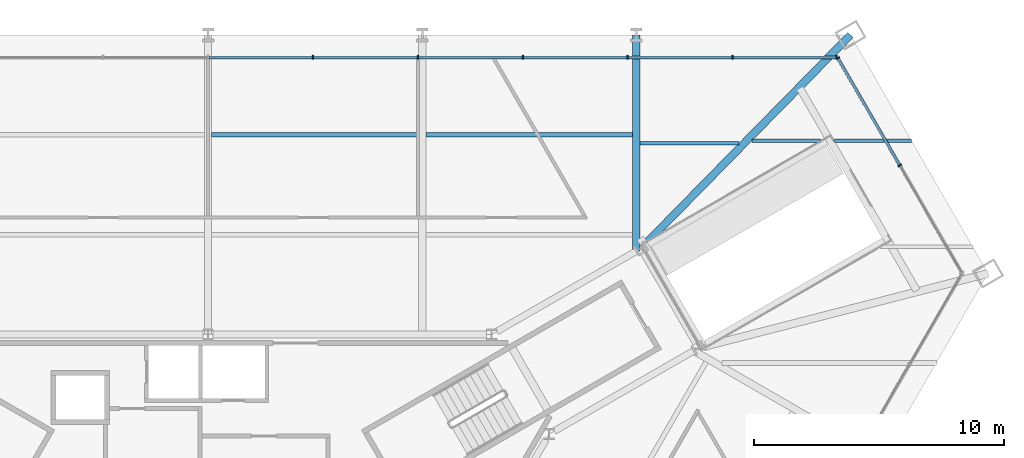
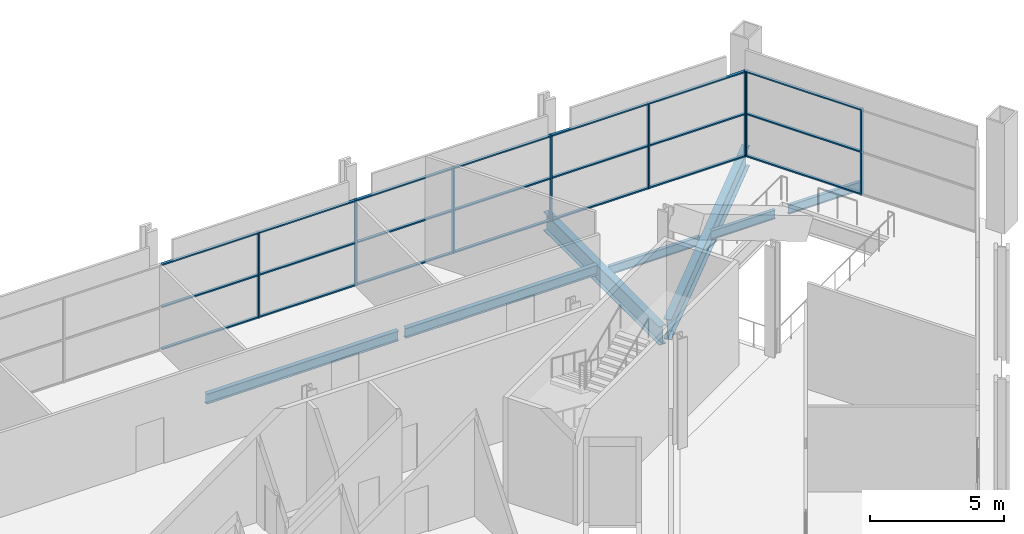
# One storey, part 10 of 20: 29 members, 7 beams, 2 elements without a shape of their own.
"""IFC4 building model written with IfcOpenShell, lengths in metres."""

from ifc_helpers import new_model, si_unit, direction, frame, origin, origin_2d, place, context, subcontext, project, spatial, rectangle, i_section, extrude, material, layer, layer_set, material_profile, profile_set, type_object, element, aggregate, save


model = new_model("IFC4")

# Units and contexts
model_context = context("Model", 3, precision=1e-05, world=origin(), true_north=direction((0.0, 1.0)))
body_context = subcontext(model_context, "Body", "Model", "MODEL_VIEW")
ifc_project = project(units=[si_unit("LENGTHUNIT", "METRE"), si_unit("AREAUNIT", "SQUARE_METRE"), si_unit("VOLUMEUNIT", "CUBIC_METRE"), si_unit("PLANEANGLEUNIT", "RADIAN"), si_unit("MASSUNIT", "GRAM", prefix="KILO")], contexts=[model_context])

# Site, building, storey
site_placement = place(None, origin())
site = spatial("IfcSite", under=ifc_project, at=site_placement, CompositionType="ELEMENT")
building_placement = place(site_placement, origin())
building = spatial("IfcBuilding", under=site, at=building_placement, Name="Verrane Prism Tower", CompositionType="ELEMENT")
storey_placement = place(building_placement, frame((0.0, 0.0, 17.39990234375)))
storey = spatial("IfcBuildingStorey", under=building, at=storey_placement, Name="L02", CompositionType="ELEMENT", Elevation=17.39990234375)

# Curtain wall, members
ifc_material_1 = material(Name="Aluminium and glass curtain wall", Category="aluminium")
ifc_layer = layer(ifc_material_1, 0.199951171875)
ifc_layer_set = layer_set([ifc_layer], Name="CWB-1 retail curtain wall")
curtain_wall_type = type_object("IfcCurtainWallType", Name="CWB-1 retail curtain wall", PredefinedType="NOTDEFINED", material=ifc_layer_set)
curtain_wall_1_placement = place(storey_placement, origin())
curtain_wall_1 = element("IfcCurtainWall", 1, at=curtain_wall_1_placement, inside=storey, type_object=curtain_wall_type, Name="Retail curtain wall L02 1", PredefinedType="NOTDEFINED")
ifc_material_2 = material(Name="Aluminium", Category="aluminium")
ifc_material_profile_1 = material_profile(ifc_material_2, rectangle(XDim=0.159912109375, YDim=0.06005859375, at=origin_2d()), Name="CWB-M 60x160 mullion")
ifc_profile_set_1 = profile_set([ifc_material_profile_1], Name="Aluminium")
member_type_1 = type_object("IfcMemberType", Name="CWB-M 60x160 mullion", PredefinedType="MULLION", material=ifc_profile_set_1)
member_1_placement = place(storey_placement, frame((27.63818359375, 15.956787109375, 0.0), z_axis=(0.0, 0.0, 1.0), x_axis=(-0.866025871, -0.499999190758, 0.0)))
member_1 = element("IfcMember", 2, at=member_1_placement, type_object=member_type_1, Name="CWB21 mullion 2", PredefinedType="MULLION", context=body_context, shape_type="SweptSolid", body=[
    extrude(rectangle(XDim=0.159912109375, YDim=0.06005859375, at=origin_2d()), origin(), (0.0, 0.0, 1.0), 3.89013671875),
])
member_2_placement = place(storey_placement, frame((25.162841796875, 20.244140625, 0.0), z_axis=(0.0, 0.0, 1.0), x_axis=(-0.866025871, -0.499999190758, 0.0)))
member_2 = element("IfcMember", 3, at=member_2_placement, type_object=member_type_1, Name="CWB21 mullion 3", PredefinedType="MULLION", context=body_context, shape_type="SweptSolid", body=[
    extrude(rectangle(XDim=0.159912109375, YDim=0.06005859375, at=origin_2d()), origin(), (0.0, 0.0, 1.0), 3.89013671875),
])

curtain_wall_2_placement = place(storey_placement, origin())
curtain_wall_2 = element("IfcCurtainWall", 4, at=curtain_wall_2_placement, inside=storey, type_object=curtain_wall_type, Name="Retail curtain wall L02 2", PredefinedType="NOTDEFINED")
member_3_placement = place(storey_placement, frame((25.117919921875, 20.27001953125, 0.0), z_axis=(0.0, 0.0, 1.0), x_axis=(0.0, -1.0, 0.0)))
member_3 = element("IfcMember", 5, at=member_3_placement, type_object=member_type_1, Name="CWB22 mullion 1", PredefinedType="MULLION", context=body_context, shape_type="SweptSolid", body=[
    extrude(rectangle(XDim=0.159912109375, YDim=0.06005859375, at=origin_2d()), origin(), (0.0, 0.0, 1.0), 3.89013671875),
])
member_4_placement = place(storey_placement, frame((20.95654296875, 20.27001953125, 0.0), z_axis=(0.0, 0.0, 1.0), x_axis=(0.0, -1.0, 0.0)))
member_4 = element("IfcMember", 6, at=member_4_placement, type_object=member_type_1, Name="CWB22 mullion 2", PredefinedType="MULLION", context=body_context, shape_type="SweptSolid", body=[
    extrude(rectangle(XDim=0.159912109375, YDim=0.06005859375, at=origin_2d()), origin(), (0.0, 0.0, 1.0), 3.89013671875),
])
member_5_placement = place(storey_placement, frame((16.76513671875, 20.27001953125, 0.0), z_axis=(0.0, 0.0, 1.0), x_axis=(0.0, -1.0, 0.0)))
member_5 = element("IfcMember", 7, at=member_5_placement, type_object=member_type_1, Name="CWB22 mullion 3", PredefinedType="MULLION", context=body_context, shape_type="SweptSolid", body=[
    extrude(rectangle(XDim=0.159912109375, YDim=0.06005859375, at=origin_2d()), origin(), (0.0, 0.0, 1.0), 3.89013671875),
])
member_6_placement = place(storey_placement, frame((12.573974609375, 20.27001953125, 0.0), z_axis=(0.0, 0.0, 1.0), x_axis=(0.0, -1.0, 0.0)))
member_6 = element("IfcMember", 8, at=member_6_placement, type_object=member_type_1, Name="CWB22 mullion 4", PredefinedType="MULLION", context=body_context, shape_type="SweptSolid", body=[
    extrude(rectangle(XDim=0.159912109375, YDim=0.06005859375, at=origin_2d()), origin(), (0.0, 0.0, 1.0), 3.89013671875),
])
member_7_placement = place(storey_placement, frame((8.382568359375, 20.27001953125, 0.0), z_axis=(0.0, 0.0, 1.0), x_axis=(0.0, -1.0, 0.0)))
member_7 = element("IfcMember", 9, at=member_7_placement, type_object=member_type_1, Name="CWB22 mullion 5", PredefinedType="MULLION", context=body_context, shape_type="SweptSolid", body=[
    extrude(rectangle(XDim=0.159912109375, YDim=0.06005859375, at=origin_2d()), origin(), (0.0, 0.0, 1.0), 3.89013671875),
])
member_8_placement = place(storey_placement, frame((4.19140625, 20.27001953125, 0.0), z_axis=(0.0, 0.0, 1.0), x_axis=(0.0, -1.0, 0.0)))
member_8 = element("IfcMember", 10, at=member_8_placement, type_object=member_type_1, Name="CWB22 mullion 6", PredefinedType="MULLION", context=body_context, shape_type="SweptSolid", body=[
    extrude(rectangle(XDim=0.159912109375, YDim=0.06005859375, at=origin_2d()), origin(), (0.0, 0.0, 1.0), 3.89013671875),
])

# Member
ifc_material_3 = material(Name="Aluminium", Category="aluminium")
ifc_material_profile_2 = material_profile(ifc_material_3, rectangle(XDim=0.1201171875, YDim=0.06005859375, at=origin_2d()), Name="CWB-T 60x120 transom")
ifc_profile_set_2 = profile_set([ifc_material_profile_2], Name="Aluminium")
member_type_2 = type_object("IfcMemberType", Name="CWB-T 60x120 transom", PredefinedType="USERDEFINED", material=ifc_profile_set_2)
member_9_placement = place(storey_placement, frame((27.623046875, 15.98291015625, 0.030029296875), z_axis=(-0.499988949793, 0.86603178353, 0.0), x_axis=(-0.86603178353, -0.499988949793, 0.0)))
member_9 = element("IfcMember", 11, at=member_9_placement, type_object=member_type_2, Name="CWB21 transom 2.1", ObjectType="TRANSOM", PredefinedType="USERDEFINED", context=body_context, shape_type="SweptSolid", body=[
    extrude(rectangle(XDim=0.1201171875, YDim=0.06005859375, at=origin_2d()), origin(), (0.0, 0.0, 1.0), 4.89013671875),
])

member_10_placement = place(storey_placement, frame((27.623046875, 15.98291015625, 1.945068359375), z_axis=(-0.499988949793, 0.86603178353, 0.0), x_axis=(-0.86603178353, -0.499988949793, 0.0)))
member_10 = element("IfcMember", 12, at=member_10_placement, type_object=member_type_2, Name="CWB21 transom 2.2", ObjectType="TRANSOM", PredefinedType="USERDEFINED", context=body_context, shape_type="SweptSolid", body=[
    extrude(rectangle(XDim=0.1201171875, YDim=0.06005859375, at=origin_2d()), origin(), (0.0, 0.0, 1.0), 4.89013671875),
])

member_11_placement = place(storey_placement, frame((27.623046875, 15.98291015625, 3.860107421875), z_axis=(-0.499988949793, 0.86603178353, 0.0), x_axis=(-0.86603178353, -0.499988949793, 0.0)))
member_11 = element("IfcMember", 13, at=member_11_placement, type_object=member_type_2, Name="CWB21 transom 2.3", ObjectType="TRANSOM", PredefinedType="USERDEFINED", context=body_context, shape_type="SweptSolid", body=[
    extrude(rectangle(XDim=0.1201171875, YDim=0.06005859375, at=origin_2d()), origin(), (0.0, 0.0, 1.0), 4.89013671875),
])

aggregate(curtain_wall_1, [member_1, member_2, member_9, member_10, member_11])

member_12_placement = place(storey_placement, frame((25.087890625, 20.27001953125, 0.030029296875), z_axis=(-1.0, 0.0, 0.0), x_axis=(0.0, -1.0, 0.0)))
member_12 = element("IfcMember", 14, at=member_12_placement, type_object=member_type_2, Name="CWB22 transom 1.1", ObjectType="TRANSOM", PredefinedType="USERDEFINED", context=body_context, shape_type="SweptSolid", body=[
    extrude(rectangle(XDim=0.1201171875, YDim=0.06005859375, at=origin_2d()), origin(), (0.0, 0.0, 1.0), 4.101318359375),
])

member_13_placement = place(storey_placement, frame((25.087890625, 20.27001953125, 1.945068359375), z_axis=(-1.0, 0.0, 0.0), x_axis=(0.0, -1.0, 0.0)))
member_13 = element("IfcMember", 15, at=member_13_placement, type_object=member_type_2, Name="CWB22 transom 1.2", ObjectType="TRANSOM", PredefinedType="USERDEFINED", context=body_context, shape_type="SweptSolid", body=[
    extrude(rectangle(XDim=0.1201171875, YDim=0.06005859375, at=origin_2d()), origin(), (0.0, 0.0, 1.0), 4.101318359375),
])

member_14_placement = place(storey_placement, frame((25.087890625, 20.27001953125, 3.860107421875), z_axis=(-1.0, 0.0, 0.0), x_axis=(0.0, -1.0, 0.0)))
member_14 = element("IfcMember", 16, at=member_14_placement, type_object=member_type_2, Name="CWB22 transom 1.3", ObjectType="TRANSOM", PredefinedType="USERDEFINED", context=body_context, shape_type="SweptSolid", body=[
    extrude(rectangle(XDim=0.1201171875, YDim=0.06005859375, at=origin_2d()), origin(), (0.0, 0.0, 1.0), 4.101318359375),
])

member_15_placement = place(storey_placement, frame((20.926513671875, 20.27001953125, 0.030029296875), z_axis=(-1.0, 0.0, 0.0), x_axis=(0.0, -1.0, 0.0)))
member_15 = element("IfcMember", 17, at=member_15_placement, type_object=member_type_2, Name="CWB22 transom 2.1", ObjectType="TRANSOM", PredefinedType="USERDEFINED", context=body_context, shape_type="SweptSolid", body=[
    extrude(rectangle(XDim=0.1201171875, YDim=0.06005859375, at=origin_2d()), origin(), (0.0, 0.0, 1.0), 4.13134765625),
])

member_16_placement = place(storey_placement, frame((20.926513671875, 20.27001953125, 1.945068359375), z_axis=(-1.0, 0.0, 0.0), x_axis=(0.0, -1.0, 0.0)))
member_16 = element("IfcMember", 18, at=member_16_placement, type_object=member_type_2, Name="CWB22 transom 2.2", ObjectType="TRANSOM", PredefinedType="USERDEFINED", context=body_context, shape_type="SweptSolid", body=[
    extrude(rectangle(XDim=0.1201171875, YDim=0.06005859375, at=origin_2d()), origin(), (0.0, 0.0, 1.0), 4.13134765625),
])

member_17_placement = place(storey_placement, frame((20.926513671875, 20.27001953125, 3.860107421875), z_axis=(-1.0, 0.0, 0.0), x_axis=(0.0, -1.0, 0.0)))
member_17 = element("IfcMember", 19, at=member_17_placement, type_object=member_type_2, Name="CWB22 transom 2.3", ObjectType="TRANSOM", PredefinedType="USERDEFINED", context=body_context, shape_type="SweptSolid", body=[
    extrude(rectangle(XDim=0.1201171875, YDim=0.06005859375, at=origin_2d()), origin(), (0.0, 0.0, 1.0), 4.13134765625),
])

member_18_placement = place(storey_placement, frame((16.7353515625, 20.27001953125, 0.030029296875), z_axis=(-1.0, 0.0, 0.0), x_axis=(0.0, -1.0, 0.0)))
member_18 = element("IfcMember", 20, at=member_18_placement, type_object=member_type_2, Name="CWB22 transom 3.1", ObjectType="TRANSOM", PredefinedType="USERDEFINED", context=body_context, shape_type="SweptSolid", body=[
    extrude(rectangle(XDim=0.1201171875, YDim=0.06005859375, at=origin_2d()), origin(), (0.0, 0.0, 1.0), 4.13134765625),
])

member_19_placement = place(storey_placement, frame((16.7353515625, 20.27001953125, 1.945068359375), z_axis=(-1.0, 0.0, 0.0), x_axis=(0.0, -1.0, 0.0)))
member_19 = element("IfcMember", 21, at=member_19_placement, type_object=member_type_2, Name="CWB22 transom 3.2", ObjectType="TRANSOM", PredefinedType="USERDEFINED", context=body_context, shape_type="SweptSolid", body=[
    extrude(rectangle(XDim=0.1201171875, YDim=0.06005859375, at=origin_2d()), origin(), (0.0, 0.0, 1.0), 4.13134765625),
])

member_20_placement = place(storey_placement, frame((16.7353515625, 20.27001953125, 3.860107421875), z_axis=(-1.0, 0.0, 0.0), x_axis=(0.0, -1.0, 0.0)))
member_20 = element("IfcMember", 22, at=member_20_placement, type_object=member_type_2, Name="CWB22 transom 3.3", ObjectType="TRANSOM", PredefinedType="USERDEFINED", context=body_context, shape_type="SweptSolid", body=[
    extrude(rectangle(XDim=0.1201171875, YDim=0.06005859375, at=origin_2d()), origin(), (0.0, 0.0, 1.0), 4.13134765625),
])

member_21_placement = place(storey_placement, frame((12.5439453125, 20.27001953125, 0.030029296875), z_axis=(-1.0, 0.0, 0.0), x_axis=(0.0, -1.0, 0.0)))
member_21 = element("IfcMember", 23, at=member_21_placement, type_object=member_type_2, Name="CWB22 transom 4.1", ObjectType="TRANSOM", PredefinedType="USERDEFINED", context=body_context, shape_type="SweptSolid", body=[
    extrude(rectangle(XDim=0.1201171875, YDim=0.06005859375, at=origin_2d()), origin(), (0.0, 0.0, 1.0), 4.13134765625),
])

member_22_placement = place(storey_placement, frame((12.5439453125, 20.27001953125, 1.945068359375), z_axis=(-1.0, 0.0, 0.0), x_axis=(0.0, -1.0, 0.0)))
member_22 = element("IfcMember", 24, at=member_22_placement, type_object=member_type_2, Name="CWB22 transom 4.2", ObjectType="TRANSOM", PredefinedType="USERDEFINED", context=body_context, shape_type="SweptSolid", body=[
    extrude(rectangle(XDim=0.1201171875, YDim=0.06005859375, at=origin_2d()), origin(), (0.0, 0.0, 1.0), 4.13134765625),
])

member_23_placement = place(storey_placement, frame((12.5439453125, 20.27001953125, 3.860107421875), z_axis=(-1.0, 0.0, 0.0), x_axis=(0.0, -1.0, 0.0)))
member_23 = element("IfcMember", 25, at=member_23_placement, type_object=member_type_2, Name="CWB22 transom 4.3", ObjectType="TRANSOM", PredefinedType="USERDEFINED", context=body_context, shape_type="SweptSolid", body=[
    extrude(rectangle(XDim=0.1201171875, YDim=0.06005859375, at=origin_2d()), origin(), (0.0, 0.0, 1.0), 4.13134765625),
])

member_24_placement = place(storey_placement, frame((8.3525390625, 20.27001953125, 0.030029296875), z_axis=(-1.0, 0.0, 0.0), x_axis=(0.0, -1.0, 0.0)))
member_24 = element("IfcMember", 26, at=member_24_placement, type_object=member_type_2, Name="CWB22 transom 5.1", ObjectType="TRANSOM", PredefinedType="USERDEFINED", context=body_context, shape_type="SweptSolid", body=[
    extrude(rectangle(XDim=0.1201171875, YDim=0.06005859375, at=origin_2d()), origin(), (0.0, 0.0, 1.0), 4.131103515625),
])

member_25_placement = place(storey_placement, frame((8.3525390625, 20.27001953125, 1.945068359375), z_axis=(-1.0, 0.0, 0.0), x_axis=(0.0, -1.0, 0.0)))
member_25 = element("IfcMember", 27, at=member_25_placement, type_object=member_type_2, Name="CWB22 transom 5.2", ObjectType="TRANSOM", PredefinedType="USERDEFINED", context=body_context, shape_type="SweptSolid", body=[
    extrude(rectangle(XDim=0.1201171875, YDim=0.06005859375, at=origin_2d()), origin(), (0.0, 0.0, 1.0), 4.131103515625),
])

member_26_placement = place(storey_placement, frame((8.3525390625, 20.27001953125, 3.860107421875), z_axis=(-1.0, 0.0, 0.0), x_axis=(0.0, -1.0, 0.0)))
member_26 = element("IfcMember", 28, at=member_26_placement, type_object=member_type_2, Name="CWB22 transom 5.3", ObjectType="TRANSOM", PredefinedType="USERDEFINED", context=body_context, shape_type="SweptSolid", body=[
    extrude(rectangle(XDim=0.1201171875, YDim=0.06005859375, at=origin_2d()), origin(), (0.0, 0.0, 1.0), 4.131103515625),
])

member_27_placement = place(storey_placement, frame((4.161376953125, 20.27001953125, 0.030029296875), z_axis=(-1.0, 0.0, 0.0), x_axis=(0.0, -1.0, 0.0)))
member_27 = element("IfcMember", 29, at=member_27_placement, type_object=member_type_2, Name="CWB22 transom 6.1", ObjectType="TRANSOM", PredefinedType="USERDEFINED", context=body_context, shape_type="SweptSolid", body=[
    extrude(rectangle(XDim=0.1201171875, YDim=0.06005859375, at=origin_2d()), origin(), (0.0, 0.0, 1.0), 4.13134765625),
])

member_28_placement = place(storey_placement, frame((4.161376953125, 20.27001953125, 1.945068359375), z_axis=(-1.0, 0.0, 0.0), x_axis=(0.0, -1.0, 0.0)))
member_28 = element("IfcMember", 30, at=member_28_placement, type_object=member_type_2, Name="CWB22 transom 6.2", ObjectType="TRANSOM", PredefinedType="USERDEFINED", context=body_context, shape_type="SweptSolid", body=[
    extrude(rectangle(XDim=0.1201171875, YDim=0.06005859375, at=origin_2d()), origin(), (0.0, 0.0, 1.0), 4.13134765625),
])

member_29_placement = place(storey_placement, frame((4.161376953125, 20.27001953125, 3.860107421875), z_axis=(-1.0, 0.0, 0.0), x_axis=(0.0, -1.0, 0.0)))
member_29 = element("IfcMember", 31, at=member_29_placement, type_object=member_type_2, Name="CWB22 transom 6.3", ObjectType="TRANSOM", PredefinedType="USERDEFINED", context=body_context, shape_type="SweptSolid", body=[
    extrude(rectangle(XDim=0.1201171875, YDim=0.06005859375, at=origin_2d()), origin(), (0.0, 0.0, 1.0), 4.13134765625),
])

aggregate(curtain_wall_2, [member_3, member_4, member_5, member_6, member_7, member_8, member_12, member_13, member_14, member_15, member_16, member_17, member_18, member_19, member_20, member_21, member_22, member_23, member_24, member_25, member_26, member_27, member_28, member_29])

# Beams
ifc_material_4 = material(Name="Steel A992", Category="steel")
ifc_material_profile_3 = material_profile(ifc_material_4, i_section(OverallWidth=0.307373046875, OverallDepth=0.927001953125, WebThickness=0.01953125, FlangeThickness=0.031982421875, FilletRadius=0.01904296875, at=origin_2d()), Name="W36x194")
ifc_profile_set_3 = profile_set([ifc_material_profile_3], Name="Steel A992")
beam_type_1 = type_object("IfcBeamType", Name="Corner girder W36x194", PredefinedType="BEAM", material=ifc_profile_set_3)
beam_1_placement = place(storey_placement, frame((25.66845703125, 21.16845703125, -0.68359375), z_axis=(-0.700377975453, -0.713772156574, 0.0), x_axis=(0.713772156574, -0.700377975453, 0.0)))
element("IfcBeam", 32, at=beam_1_placement, inside=storey, type_object=beam_type_1, Name="Corner girder L02", PredefinedType="BEAM", context=body_context, shape_type="SweptSolid", body=[
    extrude(i_section(OverallWidth=0.307373046875, OverallDepth=0.927001953125, WebThickness=0.01953125, FlangeThickness=0.031982421875, FilletRadius=0.01904296875, at=origin_2d()), origin(), (0.0, 0.0, 1.0), 11.701904296875),
])
ifc_material_5 = material(Name="Steel A992", Category="steel")
ifc_material_profile_4 = material_profile(ifc_material_5, i_section(OverallWidth=0.140380859375, OverallDepth=0.40380859375, WebThickness=0.007080078125, FlangeThickness=0.01123046875, FilletRadius=0.01025390625, at=origin_2d()), Name="W16x31")
ifc_profile_set_4 = profile_set([ifc_material_profile_4], Name="Steel A992")
beam_type_2 = type_object("IfcBeamType", Name="Floor beam W16x31", PredefinedType="BEAM", material=ifc_profile_set_4)
beam_2_placement = place(storey_placement, frame((17.256103515625, 16.85009765625, -0.36181640625), z_axis=(1.0, 0.0, 0.0), x_axis=(0.0, 1.0, 0.0)))
element("IfcBeam", 33, at=beam_2_placement, inside=storey, type_object=beam_type_2, Name="Floor beam L02", PredefinedType="BEAM", context=body_context, shape_type="SweptSolid", body=[
    extrude(i_section(OverallWidth=0.140380859375, OverallDepth=0.40380859375, WebThickness=0.007080078125, FlangeThickness=0.01123046875, FilletRadius=0.01025390625, at=origin_2d()), origin(), (0.0, 0.0, 1.0), 3.961181640625),
])
beam_3_placement = place(storey_placement, frame((21.730712890625, 16.93505859375, -0.36181640625), z_axis=(1.0, 0.0, 0.0), x_axis=(0.0, 1.0, 0.0)))
element("IfcBeam", 34, at=beam_3_placement, inside=storey, type_object=beam_type_2, Name="Floor beam L02", PredefinedType="BEAM", context=body_context, shape_type="SweptSolid", body=[
    extrude(i_section(OverallWidth=0.140380859375, OverallDepth=0.40380859375, WebThickness=0.007080078125, FlangeThickness=0.01123046875, FilletRadius=0.01025390625, at=origin_2d()), origin(), (0.0, 0.0, 1.0), 2.73681640625),
])
beam_4_placement = place(storey_placement, frame((25.030517578125, 16.93505859375, -0.36181640625), z_axis=(1.0, 0.0, 0.0), x_axis=(0.0, 1.0, 0.0)))
element("IfcBeam", 35, at=beam_4_placement, inside=storey, type_object=beam_type_2, Name="Floor beam L02", PredefinedType="BEAM", context=body_context, shape_type="SweptSolid", body=[
    extrude(i_section(OverallWidth=0.140380859375, OverallDepth=0.40380859375, WebThickness=0.007080078125, FlangeThickness=0.01123046875, FilletRadius=0.01025390625, at=origin_2d()), origin(), (0.0, 0.0, 1.0), 3.08349609375),
])
ifc_material_6 = material(Name="Steel A992", Category="steel")
ifc_material_profile_5 = material_profile(ifc_material_6, i_section(OverallWidth=0.1904296875, OverallDepth=0.457275390625, WebThickness=0.009033203125, FlangeThickness=0.014404296875, FilletRadius=0.01025390625, at=origin_2d()), Name="W18x50")
ifc_profile_set_5 = profile_set([ifc_material_profile_5], Name="Steel A992")
beam_type_3 = type_object("IfcBeamType", Name="Floor beam W18x50", PredefinedType="BEAM", material=ifc_profile_set_5)
beam_5_placement = place(storey_placement, frame((8.7060546875, 17.179931640625, -0.388427734375), z_axis=(1.0, 0.0, 0.0), x_axis=(0.0, 1.0, 0.0)))
element("IfcBeam", 36, at=beam_5_placement, inside=storey, type_object=beam_type_3, Name="Floor beam L02", PredefinedType="BEAM", context=body_context, shape_type="SweptSolid", body=[
    extrude(i_section(OverallWidth=0.1904296875, OverallDepth=0.457275390625, WebThickness=0.009033203125, FlangeThickness=0.014404296875, FilletRadius=0.01025390625, at=origin_2d()), origin(), (0.0, 0.0, 1.0), 8.258056640625),
])
beam_6_placement = place(storey_placement, frame((0.14599609375, 17.179931640625, -0.388427734375), z_axis=(1.0, 0.0, 0.0), x_axis=(0.0, 1.0, 0.0)))
element("IfcBeam", 37, at=beam_6_placement, inside=storey, type_object=beam_type_3, Name="Floor beam L02", PredefinedType="BEAM", context=body_context, shape_type="SweptSolid", body=[
    extrude(i_section(OverallWidth=0.1904296875, OverallDepth=0.457275390625, WebThickness=0.009033203125, FlangeThickness=0.014404296875, FilletRadius=0.01025390625, at=origin_2d()), origin(), (0.0, 0.0, 1.0), 8.26806640625),
])
ifc_material_7 = material(Name="Steel A992", Category="steel")
ifc_material_profile_6 = material_profile(ifc_material_7, i_section(OverallWidth=0.2919921875, OverallDepth=0.845703125, WebThickness=0.015380859375, FlangeThickness=0.0244140625, FilletRadius=0.017822265625, at=origin_2d()), Name="W33x141")
ifc_profile_set_6 = profile_set([ifc_material_profile_6], Name="Steel A992")
beam_type_4 = type_object("IfcBeamType", Name="Radial girder W33x141", PredefinedType="BEAM", material=ifc_profile_set_6)
beam_7_placement = place(storey_placement, frame((17.110107421875, 21.169921875, -0.642822265625), z_axis=(0.0, -1.0, 0.0), x_axis=(1.0, 0.0, 0.0)))
element("IfcBeam", 38, at=beam_7_placement, inside=storey, type_object=beam_type_4, Name="Radial girder L02", PredefinedType="BEAM", context=body_context, shape_type="SweptSolid", body=[
    extrude(i_section(OverallWidth=0.2919921875, OverallDepth=0.845703125, WebThickness=0.015380859375, FlangeThickness=0.0244140625, FilletRadius=0.017822265625, at=origin_2d()), origin(), (0.0, 0.0, 1.0), 8.639404296875),
])

save(model, "model.ifc")
